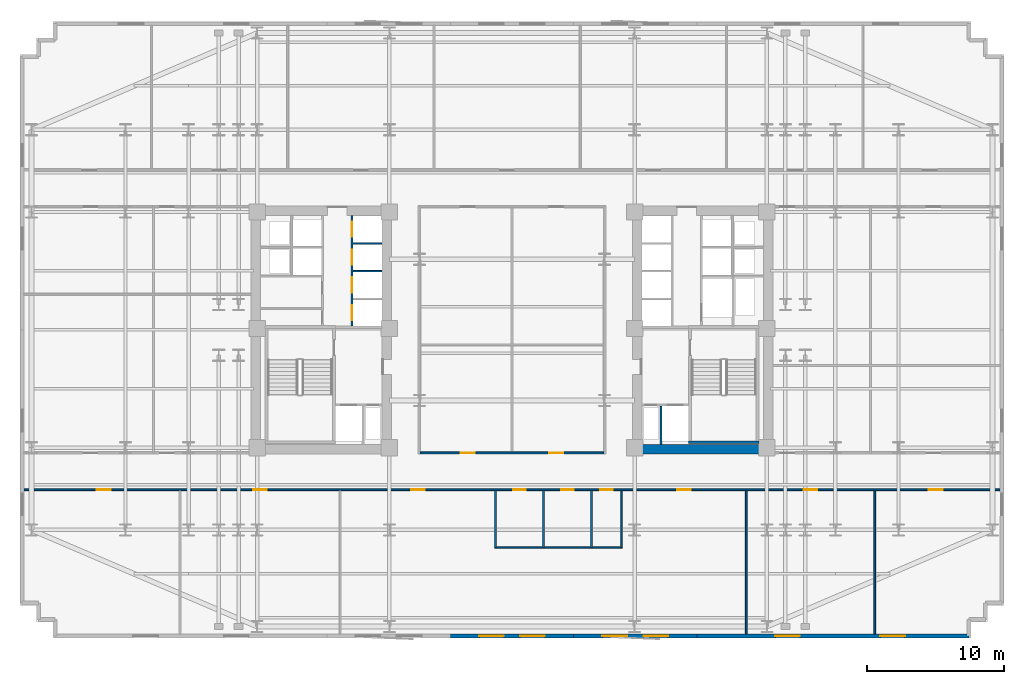
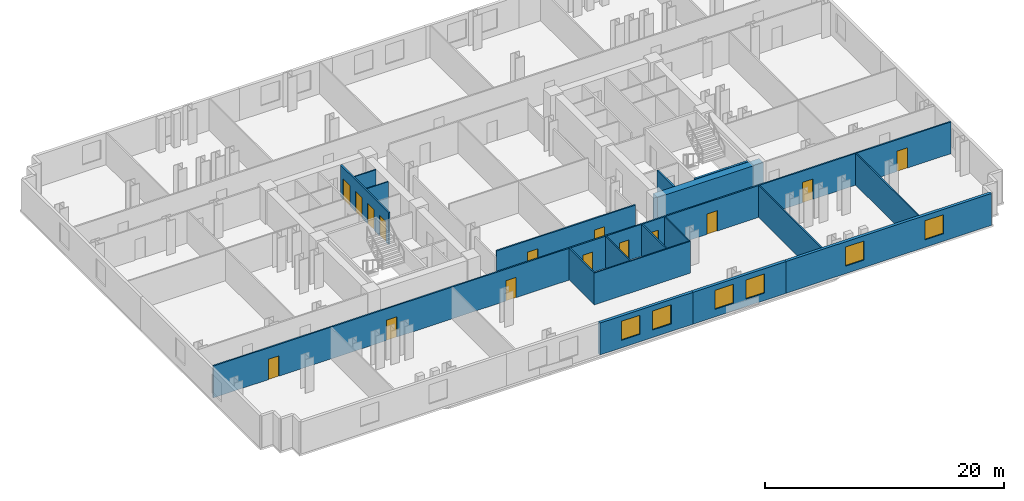
# One storey, part 5 of 10: 18 walls, 15 doors, 6 windows, 21 openings.
"""IFC4 building model written with IfcOpenShell, lengths in metres."""

from ifc_helpers import new_model, si_unit, direction, frame, frame_2d, origin, place, context, subcontext, project, spatial, rectangle, extrude, material, layer, layer_set, type_object, element, fill, save


model = new_model("IFC4")

# Units and contexts
model_context = context("Model", 3, precision=1e-05, world=origin(), true_north=direction((0.0, 1.0)))
body_context = subcontext(model_context, "Body", "Model", "MODEL_VIEW")
ifc_project = project(units=[si_unit("LENGTHUNIT", "METRE"), si_unit("AREAUNIT", "SQUARE_METRE"), si_unit("VOLUMEUNIT", "CUBIC_METRE"), si_unit("PLANEANGLEUNIT", "RADIAN"), si_unit("MASSUNIT", "GRAM", prefix="KILO")], contexts=[model_context])

# Site, building, storey
site_placement = place(None, origin())
site = spatial("IfcSite", under=ifc_project, at=site_placement, CompositionType="ELEMENT")
building_placement = place(site_placement, origin())
building = spatial("IfcBuilding", under=site, at=building_placement, Name="Velakula Bourse", CompositionType="ELEMENT")
storey_placement = place(building_placement, frame((0.0, 0.0, 58.800048828125)))
storey = spatial("IfcBuildingStorey", under=building, at=storey_placement, Name="L15", CompositionType="ELEMENT", Elevation=58.800048828125)

# Walls
ifc_material_1 = material(Name="Concrete M50 (fck 50 MPa)", Category="concrete")
ifc_layer_1 = layer(ifc_material_1, 0.2099609375, Name="Concrete M50 (fck 50 MPa)", Category="concrete")
ifc_layer_set_1 = layer_set([ifc_layer_1], Name="Concrete M50 (fck 50 MPa)")
wall_type_1 = type_object("IfcWallType", Name="WL-CORE-210", PredefinedType="SHEAR", material=ifc_layer_set_1)
wall_1_placement = place(storey_placement, frame((12.889892578125, -8.205078125, 0.0), z_axis=(0.0, 0.0, 1.0), x_axis=(1.0, 0.0, 0.0)))
element("IfcWall", 1, at=wall_1_placement, inside=storey, type_object=wall_type_1, Name="L15 Core E Stairwell Shear Wall S", PredefinedType="SHEAR", context=body_context, shape_type="SweptSolid", body=[
    extrude(rectangle(XDim=5.14013671875, YDim=0.2099609375, at=frame_2d((2.570068359375, 0.0))), origin(), (0.0, 0.0, 1.0), 3.27001953125),
])
ifc_material_2 = material(Name="Concrete M70 (fck 70 MPa)", Category="concrete")
ifc_layer_2 = layer(ifc_material_2, 0.699951171875, Name="Concrete M70 (fck 70 MPa)", Category="concrete")
ifc_layer_set_2 = layer_set([ifc_layer_2], Name="Concrete M70 (fck 70 MPa)")
wall_type_2 = type_object("IfcWallType", Name="WL-CORE-700", PredefinedType="SHEAR", material=ifc_layer_set_2)
wall_2_placement = place(storey_placement, frame((8.800048828125, -8.699951171875, 0.0), z_axis=(0.0, 0.0, 1.0), x_axis=(1.0, 0.0, 0.0)))
element("IfcWall", 2, at=wall_2_placement, inside=storey, type_object=wall_type_2, Name="L15 Core E Shear Wall S", PredefinedType="SHEAR", context=body_context, shape_type="SweptSolid", body=[
    extrude(rectangle(XDim=10.25, YDim=0.699951171875, at=frame_2d((5.125, 0.0))), origin(), (0.0, 0.0, 1.0), 3.27001953125),
])

# Wall, openings, windows
ifc_material_3 = material(Name="Red kilned clay facing brick masonry", Category="masonry")
ifc_layer_3 = layer(ifc_material_3, 0.280029296875, Name="Red kilned clay facing brick masonry", Category="masonry")
ifc_layer_set_3 = layer_set([ifc_layer_3], Name="Red kilned clay facing brick masonry")
wall_type_3 = type_object("IfcWallType", Name="WL-EXT-BRK-280", PredefinedType="STANDARD", material=ifc_layer_set_3)
wall_3_placement = place(storey_placement, frame((4.5, -22.340087890625, 0.0), z_axis=(0.0, 0.0, 1.0), x_axis=(-1.0, 0.0, 0.0)))
wall_3 = element("IfcWall", 3, at=wall_3_placement, inside=storey, type_object=wall_type_3, Name="L15 S Brick Spandrel Wall B3", PredefinedType="STANDARD", context=body_context, shape_type="SweptSolid", body=[
    extrude(rectangle(XDim=9.0, YDim=0.280029296875, at=frame_2d((4.5, 0.0))), origin(), (0.0, 0.0, 1.0), 3.25),
])
opening_1_placement = place(wall_3_placement, frame((2.10009765625, 0.0, 0.760009765625)))
opening_1 = element("IfcOpeningElement", 4, at=opening_1_placement, cuts=wall_3, Name="Opening W-01", PredefinedType="OPENING", context=body_context, shape_type="SweptSolid", body=[
    extrude(rectangle(XDim=1.800048828125, YDim=1.949951171875, at=frame_2d((0.89990234375, 0.97509765625))), frame((0.0, 0.14990234375, 0.0), z_axis=(0.0, -1.0, 0.0), x_axis=(1.0, 0.0, 0.0)), (0.0, 0.0, 1.0), 0.300048828125),
])
opening_2_placement = place(wall_3_placement, frame((5.10009765625, 0.0, 0.760009765625)))
opening_2 = element("IfcOpeningElement", 5, at=opening_2_placement, cuts=wall_3, Name="Opening W-01", PredefinedType="OPENING", context=body_context, shape_type="SweptSolid", body=[
    extrude(rectangle(XDim=1.800048828125, YDim=1.949951171875, at=frame_2d((0.89990234375, 0.97509765625))), frame((0.0, 0.14990234375, 0.0), z_axis=(0.0, -1.0, 0.0), x_axis=(1.0, 0.0, 0.0)), (0.0, 0.0, 1.0), 0.300048828125),
])
ifc_material_4 = material(Name="Double-glazed solar-control Low-E glass", Category="glass")
window_type = type_object("IfcWindowType", Name="WIN-TWR-1800x2100", PartitioningType="SINGLE_PANEL", PredefinedType="WINDOW", material=ifc_material_4)
window_1_placement = place(opening_1_placement, origin())
window_1 = element("IfcWindow", 6, at=window_1_placement, inside=storey, type_object=window_type, Name="L15 Deep-Set Recessed Window 1", OverallHeight=1.949951171875, OverallWidth=1.800048828125, PartitioningType="SINGLE_PANEL", PredefinedType="WINDOW", context=body_context, shape_type="SweptSolid", body=[
    extrude(rectangle(XDim=1.800048828125, YDim=1.949951171875, at=frame_2d((0.89990234375, 0.97509765625))), frame((0.0, 0.030029296875, 0.0), z_axis=(0.0, -1.0, 0.0), x_axis=(1.0, 0.0, 0.0)), (0.0, 0.0, 1.0), 0.06005859375),
])
fill(opening_1, window_1)
window_2_placement = place(opening_2_placement, origin())
window_2 = element("IfcWindow", 7, at=window_2_placement, inside=storey, type_object=window_type, Name="L15 Deep-Set Recessed Window 2", OverallHeight=1.949951171875, OverallWidth=1.800048828125, PartitioningType="SINGLE_PANEL", PredefinedType="WINDOW", context=body_context, shape_type="SweptSolid", body=[
    extrude(rectangle(XDim=1.800048828125, YDim=1.949951171875, at=frame_2d((0.89990234375, 0.97509765625))), frame((0.0, 0.030029296875, 0.0), z_axis=(0.0, -1.0, 0.0), x_axis=(1.0, 0.0, 0.0)), (0.0, 0.0, 1.0), 0.06005859375),
])
fill(opening_2, window_2)

wall_4_placement = place(storey_placement, frame((13.5, -22.340087890625, 0.0), z_axis=(0.0, 0.0, 1.0), x_axis=(-1.0, 0.0, 0.0)))
wall_4 = element("IfcWall", 8, at=wall_4_placement, inside=storey, type_object=wall_type_3, Name="L15 S Brick Spandrel Wall B4", PredefinedType="STANDARD", context=body_context, shape_type="SweptSolid", body=[
    extrude(rectangle(XDim=9.0, YDim=0.280029296875, at=frame_2d((4.5, 0.0))), origin(), (0.0, 0.0, 1.0), 3.25),
])
opening_3_placement = place(wall_4_placement, frame((2.10009765625, 0.0, 0.760009765625)))
opening_3 = element("IfcOpeningElement", 9, at=opening_3_placement, cuts=wall_4, Name="Opening W-01", PredefinedType="OPENING", context=body_context, shape_type="SweptSolid", body=[
    extrude(rectangle(XDim=1.800048828125, YDim=1.949951171875, at=frame_2d((0.89990234375, 0.97509765625))), frame((0.0, 0.14990234375, 0.0), z_axis=(0.0, -1.0, 0.0), x_axis=(1.0, 0.0, 0.0)), (0.0, 0.0, 1.0), 0.300048828125),
])
opening_4_placement = place(wall_4_placement, frame((5.10009765625, 0.0, 0.760009765625)))
opening_4 = element("IfcOpeningElement", 10, at=opening_4_placement, cuts=wall_4, Name="Opening W-01", PredefinedType="OPENING", context=body_context, shape_type="SweptSolid", body=[
    extrude(rectangle(XDim=1.800048828125, YDim=1.949951171875, at=frame_2d((0.89990234375, 0.97509765625))), frame((0.0, 0.14990234375, 0.0), z_axis=(0.0, -1.0, 0.0), x_axis=(1.0, 0.0, 0.0)), (0.0, 0.0, 1.0), 0.300048828125),
])
window_3_placement = place(opening_3_placement, origin())
window_3 = element("IfcWindow", 11, at=window_3_placement, inside=storey, type_object=window_type, Name="L15 Deep-Set Recessed Window 1", OverallHeight=1.949951171875, OverallWidth=1.800048828125, PartitioningType="SINGLE_PANEL", PredefinedType="WINDOW", context=body_context, shape_type="SweptSolid", body=[
    extrude(rectangle(XDim=1.800048828125, YDim=1.949951171875, at=frame_2d((0.89990234375, 0.97509765625))), frame((0.0, 0.030029296875, 0.0), z_axis=(0.0, -1.0, 0.0), x_axis=(1.0, 0.0, 0.0)), (0.0, 0.0, 1.0), 0.06005859375),
])
fill(opening_3, window_3)
window_4_placement = place(opening_4_placement, origin())
window_4 = element("IfcWindow", 12, at=window_4_placement, inside=storey, type_object=window_type, Name="L15 Deep-Set Recessed Window 2", OverallHeight=1.949951171875, OverallWidth=1.800048828125, PartitioningType="SINGLE_PANEL", PredefinedType="WINDOW", context=body_context, shape_type="SweptSolid", body=[
    extrude(rectangle(XDim=1.800048828125, YDim=1.949951171875, at=frame_2d((0.89990234375, 0.97509765625))), frame((0.0, 0.030029296875, 0.0), z_axis=(0.0, -1.0, 0.0), x_axis=(1.0, 0.0, 0.0)), (0.0, 0.0, 1.0), 0.06005859375),
])
fill(opening_4, window_4)

wall_5_placement = place(storey_placement, frame((33.340087890625, -22.340087890625, 0.0), z_axis=(0.0, 0.0, 1.0), x_axis=(-1.0, 0.0, 0.0)))
wall_5 = element("IfcWall", 13, at=wall_5_placement, inside=storey, type_object=wall_type_3, Name="L15 S Brick Spandrel Wall B5", PredefinedType="STANDARD", context=body_context, shape_type="SweptSolid", body=[
    extrude(rectangle(XDim=19.840087890625, YDim=0.280029296875, at=frame_2d((9.919921875, 0.0))), origin(), (0.0, 0.0, 1.0), 3.25),
])
opening_5_placement = place(wall_5_placement, frame((4.663330078125, 0.0, 0.760009765625)))
opening_5 = element("IfcOpeningElement", 14, at=opening_5_placement, cuts=wall_5, Name="Opening W-01", PredefinedType="OPENING", context=body_context, shape_type="SweptSolid", body=[
    extrude(rectangle(XDim=1.800048828125, YDim=1.949951171875, at=frame_2d((0.89990234375, 0.97509765625))), frame((0.0, 0.14990234375, 0.0), z_axis=(0.0, -1.0, 0.0), x_axis=(1.0, 0.0, 0.0)), (0.0, 0.0, 1.0), 0.300048828125),
])
opening_6_placement = place(wall_5_placement, frame((12.32666015625, 0.0, 0.760009765625)))
opening_6 = element("IfcOpeningElement", 15, at=opening_6_placement, cuts=wall_5, Name="Opening W-01", PredefinedType="OPENING", context=body_context, shape_type="SweptSolid", body=[
    extrude(rectangle(XDim=1.800048828125, YDim=1.949951171875, at=frame_2d((0.89990234375, 0.97509765625))), frame((0.0, 0.14990234375, 0.0), z_axis=(0.0, -1.0, 0.0), x_axis=(1.0, 0.0, 0.0)), (0.0, 0.0, 1.0), 0.300048828125),
])
window_5_placement = place(opening_5_placement, origin())
window_5 = element("IfcWindow", 16, at=window_5_placement, inside=storey, type_object=window_type, Name="L15 Deep-Set Recessed Window 1", OverallHeight=1.949951171875, OverallWidth=1.800048828125, PartitioningType="SINGLE_PANEL", PredefinedType="WINDOW", context=body_context, shape_type="SweptSolid", body=[
    extrude(rectangle(XDim=1.800048828125, YDim=1.949951171875, at=frame_2d((0.89990234375, 0.97509765625))), frame((0.0, 0.030029296875, 0.0), z_axis=(0.0, -1.0, 0.0), x_axis=(1.0, 0.0, 0.0)), (0.0, 0.0, 1.0), 0.06005859375),
])
fill(opening_5, window_5)
window_6_placement = place(opening_6_placement, origin())
window_6 = element("IfcWindow", 17, at=window_6_placement, inside=storey, type_object=window_type, Name="L15 Deep-Set Recessed Window 2", OverallHeight=1.949951171875, OverallWidth=1.800048828125, PartitioningType="SINGLE_PANEL", PredefinedType="WINDOW", context=body_context, shape_type="SweptSolid", body=[
    extrude(rectangle(XDim=1.800048828125, YDim=1.949951171875, at=frame_2d((0.89990234375, 0.97509765625))), frame((0.0, 0.030029296875, 0.0), z_axis=(0.0, -1.0, 0.0), x_axis=(1.0, 0.0, 0.0)), (0.0, 0.0, 1.0), 0.06005859375),
])
fill(opening_6, window_6)

# Walls
ifc_material_5 = material(Name="Fire-rated double-layer gypsum drywall partition", Category="gypsum")
ifc_layer_4 = layer(ifc_material_5, 0.1201171875, Name="Fire-rated double-layer gypsum drywall partition", Category="gypsum")
ifc_layer_set_4 = layer_set([ifc_layer_4], Name="Fire-rated double-layer gypsum drywall partition")
wall_type_4 = type_object("IfcWallType", Name="WL-PART-120", PredefinedType="STANDARD", material=ifc_layer_set_4)
for number, where, z_axis, x_axis, name in (
    (18, (-11.60009765625, 4.284912109375, 0.0), (0.0, 0.0, 1.0), (1.0, 0.0, 0.0), "L15 Interior Partition WL-CRW-L15-BDIV-1"),
    (19, (-11.60009765625, 6.31494140625, 0.0), (0.0, 0.0, 1.0), (1.0, 0.0, 0.0), "L15 Interior Partition WL-CRW-L15-BDIV-2"),
):
    element("IfcWall", number, at=place(storey_placement, frame(where, z_axis=z_axis, x_axis=x_axis)), inside=storey, type_object=wall_type_4, Name=name, PredefinedType="STANDARD", context=body_context, shape_type="SweptSolid", body=[
        extrude(rectangle(XDim=2.10009765625, YDim=0.110107421875, at=frame_2d((1.050048828125, 0.0))), origin(), (0.0, 0.0, 1.0), 3.25),
    ])
wall_6_placement = place(storey_placement, frame((-1.260009765625, -15.8701171875, 0.0), z_axis=(0.0, 0.0, 1.0), x_axis=(1.0, 0.0, 0.0)))
element("IfcWall", 20, at=wall_6_placement, inside=storey, type_object=wall_type_4, Name="L15 Interior Partition WL-WC-L15-BACK", PredefinedType="STANDARD", context=body_context, shape_type="SweptSolid", body=[
    extrude(rectangle(XDim=9.320068359375, YDim=0.1201171875, at=frame_2d((4.66015625, 0.0))), origin(), (0.0, 0.0, 1.0), 3.25),
])
for number, where, z_axis, x_axis, name in (
    (21, (-1.199951171875, -15.8701171875, 0.0), (0.0, 0.0, 1.0), (0.0, 1.0, 0.0), "L15 Interior Partition WL-WC-L15-V1"),
    (22, (2.300048828125, -15.8701171875, 0.0), (0.0, 0.0, 1.0), (0.0, 1.0, 0.0), "L15 Interior Partition WL-WC-L15-V2"),
    (23, (5.800048828125, -15.8701171875, 0.0), (0.0, 0.0, 1.0), (0.0, 1.0, 0.0), "L15 Interior Partition WL-WC-L15-V3"),
    (24, (8.0, -15.8701171875, 0.0), (0.0, 0.0, 1.0), (0.0, 1.0, 0.0), "L15 Interior Partition WL-WC-L15-V4"),
):
    element("IfcWall", number, at=place(storey_placement, frame(where, z_axis=z_axis, x_axis=x_axis)), inside=storey, type_object=wall_type_4, Name=name, PredefinedType="STANDARD", context=body_context, shape_type="SweptSolid", body=[
        extrude(rectangle(XDim=4.130126953125, YDim=0.1201171875, at=frame_2d((2.06494140625, 0.0))), origin(), (0.0, 0.0, 1.0), 3.25),
    ])
for number, where, z_axis, x_axis, name in (
    (25, (17.094970703125, -22.219970703125, 0.0), (0.0, 0.0, 1.0), (0.0, 1.0, 0.0), "L15 Interior Partition WL-INT-L15-SR-D7"),
    (26, (26.465087890625, -22.219970703125, 0.0), (0.0, 0.0, 1.0), (0.0, 1.0, 0.0), "L15 Interior Partition WL-INT-L15-SR-D8"),
):
    element("IfcWall", number, at=place(storey_placement, frame(where, z_axis=z_axis, x_axis=x_axis)), inside=storey, type_object=wall_type_4, Name=name, PredefinedType="STANDARD", context=body_context, shape_type="SweptSolid", body=[
        extrude(rectangle(XDim=10.47998046875, YDim=0.1201171875, at=frame_2d((5.239990234375, 0.0))), origin(), (0.0, 0.0, 1.0), 3.25),
    ])

# Wall, openings, doors
ifc_layer_5 = layer(ifc_material_5, 0.139892578125, Name="Fire-rated double-layer gypsum drywall partition", Category="gypsum")
ifc_layer_set_5 = layer_set([ifc_layer_5], Name="Fire-rated double-layer gypsum drywall partition")
wall_type_5 = type_object("IfcWallType", Name="WL-PART-140", PredefinedType="STANDARD", material=ifc_layer_set_5)
wall_7_placement = place(storey_placement, frame((-35.6201171875, -11.669921875, 0.0), z_axis=(0.0, 0.0, 1.0), x_axis=(1.0, 0.0, 0.0)))
wall_7 = element("IfcWall", 27, at=wall_7_placement, inside=storey, type_object=wall_type_5, Name="L15 Interior Partition WL-INT-L15-S-CORR", PredefinedType="STANDARD", context=body_context, shape_type="SweptSolid", body=[
    extrude(rectangle(XDim=71.240234375, YDim=0.139892578125, at=frame_2d((35.6201171875, 0.0))), origin(), (0.0, 0.0, 1.0), 3.25),
])
opening_7_placement = place(wall_7_placement, frame((35.7099609375, 0.0, 0.0)))
opening_7 = element("IfcOpeningElement", 28, at=opening_7_placement, cuts=wall_7, Name="Opening D-WT1", PredefinedType="OPENING", context=body_context, shape_type="SweptSolid", body=[
    extrude(rectangle(XDim=0.919921875, YDim=2.080078125, at=frame_2d((0.4599609375, 1.0400390625))), frame((0.0, 0.079833984375, 0.0), z_axis=(0.0, -1.0, 0.0), x_axis=(1.0, 0.0, 0.0)), (0.0, 0.0, 1.0), 0.159912109375),
])
opening_8_placement = place(wall_7_placement, frame((39.2099609375, 0.0, 0.0)))
opening_8 = element("IfcOpeningElement", 29, at=opening_8_placement, cuts=wall_7, Name="Opening D-WT1", PredefinedType="OPENING", context=body_context, shape_type="SweptSolid", body=[
    extrude(rectangle(XDim=0.919921875, YDim=2.080078125, at=frame_2d((0.4599609375, 1.0400390625))), frame((0.0, 0.079833984375, 0.0), z_axis=(0.0, -1.0, 0.0), x_axis=(1.0, 0.0, 0.0)), (0.0, 0.0, 1.0), 0.159912109375),
])
opening_9_placement = place(wall_7_placement, frame((42.06005859375, 0.0, 0.0)))
opening_9 = element("IfcOpeningElement", 30, at=opening_9_placement, cuts=wall_7, Name="Opening D-WC1", PredefinedType="OPENING", context=body_context, shape_type="SweptSolid", body=[
    extrude(rectangle(XDim=0.919921875, YDim=2.080078125, at=frame_2d((0.4599609375, 1.0400390625))), frame((0.0, 0.079833984375, 0.0), z_axis=(0.0, -1.0, 0.0), x_axis=(1.0, 0.0, 0.0)), (0.0, 0.0, 1.0), 0.159912109375),
])
opening_10_placement = place(wall_7_placement, frame((5.325439453125, 0.0, 0.0)))
opening_10 = element("IfcOpeningElement", 31, at=opening_10_placement, cuts=wall_7, Name="Opening D-OF1", PredefinedType="OPENING", context=body_context, shape_type="SweptSolid", body=[
    extrude(rectangle(XDim=1.0, YDim=2.080078125, at=frame_2d((0.5, 1.0400390625))), frame((0.0, 0.079833984375, 0.0), z_axis=(0.0, -1.0, 0.0), x_axis=(1.0, 0.0, 0.0)), (0.0, 0.0, 1.0), 0.159912109375),
])
opening_11_placement = place(wall_7_placement, frame((16.739990234375, 0.0, 0.0)))
opening_11 = element("IfcOpeningElement", 32, at=opening_11_placement, cuts=wall_7, Name="Opening D-OF1", PredefinedType="OPENING", context=body_context, shape_type="SweptSolid", body=[
    extrude(rectangle(XDim=1.0, YDim=2.080078125, at=frame_2d((0.5, 1.0400390625))), frame((0.0, 0.079833984375, 0.0), z_axis=(0.0, -1.0, 0.0), x_axis=(1.0, 0.0, 0.0)), (0.0, 0.0, 1.0), 0.159912109375),
])
opening_12_placement = place(wall_7_placement, frame((28.25048828125, 0.0, 0.0)))
opening_12 = element("IfcOpeningElement", 33, at=opening_12_placement, cuts=wall_7, Name="Opening D-OF1", PredefinedType="OPENING", context=body_context, shape_type="SweptSolid", body=[
    extrude(rectangle(XDim=1.0, YDim=2.080078125, at=frame_2d((0.5, 1.0400390625))), frame((0.0, 0.079833984375, 0.0), z_axis=(0.0, -1.0, 0.0), x_axis=(1.0, 0.0, 0.0)), (0.0, 0.0, 1.0), 0.159912109375),
])
opening_13_placement = place(wall_7_placement, frame((47.66748046875, 0.0, 0.0)))
opening_13 = element("IfcOpeningElement", 34, at=opening_13_placement, cuts=wall_7, Name="Opening D-OF1", PredefinedType="OPENING", context=body_context, shape_type="SweptSolid", body=[
    extrude(rectangle(XDim=1.0, YDim=2.080078125, at=frame_2d((0.5, 1.0400390625))), frame((0.0, 0.079833984375, 0.0), z_axis=(0.0, -1.0, 0.0), x_axis=(1.0, 0.0, 0.0)), (0.0, 0.0, 1.0), 0.159912109375),
])
opening_14_placement = place(wall_7_placement, frame((56.89990234375, 0.0, 0.0)))
opening_14 = element("IfcOpeningElement", 35, at=opening_14_placement, cuts=wall_7, Name="Opening D-OF1", PredefinedType="OPENING", context=body_context, shape_type="SweptSolid", body=[
    extrude(rectangle(XDim=1.0, YDim=2.080078125, at=frame_2d((0.5, 1.0400390625))), frame((0.0, 0.079833984375, 0.0), z_axis=(0.0, -1.0, 0.0), x_axis=(1.0, 0.0, 0.0)), (0.0, 0.0, 1.0), 0.159912109375),
])
opening_15_placement = place(wall_7_placement, frame((66.03662109375, 0.0, 0.0)))
opening_15 = element("IfcOpeningElement", 36, at=opening_15_placement, cuts=wall_7, Name="Opening D-OF1", PredefinedType="OPENING", context=body_context, shape_type="SweptSolid", body=[
    extrude(rectangle(XDim=1.0, YDim=2.080078125, at=frame_2d((0.5, 1.0400390625))), frame((0.0, 0.079833984375, 0.0), z_axis=(0.0, -1.0, 0.0), x_axis=(1.0, 0.0, 0.0)), (0.0, 0.0, 1.0), 0.159912109375),
])
ifc_material_6 = material(Name="Fire-rated hardwood flush architectural door", Category="wood")
door_type_1 = type_object("IfcDoorType", Name="DR-OFF-1000", OperationType="NOTDEFINED", PredefinedType="DOOR", material=ifc_material_6)
door_1_placement = place(opening_10_placement, origin())
door_1 = element("IfcDoor", 37, at=door_1_placement, inside=storey, type_object=door_type_1, Name="L15 Economic Reference Library Door", OperationType="SINGLE_SWING_LEFT", OverallHeight=2.080078125, OverallWidth=1.0, PredefinedType="DOOR", context=body_context, shape_type="SweptSolid", body=[
    extrude(rectangle(XDim=1.0, YDim=2.080078125, at=frame_2d((0.5, 1.0400390625))), frame((0.0, 0.02490234375, 0.0), z_axis=(0.0, -1.0, 0.0), x_axis=(1.0, 0.0, 0.0)), (0.0, 0.0, 1.0), 0.050048828125),
])
fill(opening_10, door_1)
door_2_placement = place(opening_11_placement, origin())
door_2 = element("IfcDoor", 38, at=door_2_placement, inside=storey, type_object=door_type_1, Name="L15 Chief Risk Officer Chamber Door", OperationType="SINGLE_SWING_RIGHT", OverallHeight=2.080078125, OverallWidth=1.0, PredefinedType="DOOR", context=body_context, shape_type="SweptSolid", body=[
    extrude(rectangle(XDim=1.0, YDim=2.080078125, at=frame_2d((0.5, 1.0400390625))), frame((0.0, 0.02490234375, 0.0), z_axis=(0.0, -1.0, 0.0), x_axis=(1.0, 0.0, 0.0)), (0.0, 0.0, 1.0), 0.050048828125),
])
fill(opening_11, door_2)
door_3_placement = place(opening_12_placement, origin())
door_3 = element("IfcDoor", 39, at=door_3_placement, inside=storey, type_object=door_type_1, Name="L15 Peer Review Boardroom Door", OperationType="SINGLE_SWING_LEFT", OverallHeight=2.080078125, OverallWidth=1.0, PredefinedType="DOOR", context=body_context, shape_type="SweptSolid", body=[
    extrude(rectangle(XDim=1.0, YDim=2.080078125, at=frame_2d((0.5, 1.0400390625))), frame((0.0, 0.02490234375, 0.0), z_axis=(0.0, -1.0, 0.0), x_axis=(1.0, 0.0, 0.0)), (0.0, 0.0, 1.0), 0.050048828125),
])
fill(opening_12, door_3)
door_4_placement = place(opening_13_placement, origin())
door_4 = element("IfcDoor", 40, at=door_4_placement, inside=storey, type_object=door_type_1, Name="L15 Catering Servery Pantry Door", OperationType="SINGLE_SWING_RIGHT", OverallHeight=2.080078125, OverallWidth=1.0, PredefinedType="DOOR", context=body_context, shape_type="SweptSolid", body=[
    extrude(rectangle(XDim=1.0, YDim=2.080078125, at=frame_2d((0.5, 1.0400390625))), frame((0.0, 0.02490234375, 0.0), z_axis=(0.0, -1.0, 0.0), x_axis=(1.0, 0.0, 0.0)), (0.0, 0.0, 1.0), 0.050048828125),
])
fill(opening_13, door_4)
door_5_placement = place(opening_14_placement, origin())
door_5 = element("IfcDoor", 41, at=door_5_placement, inside=storey, type_object=door_type_1, Name="L15 Quantitative Research Workspace Door", OperationType="SINGLE_SWING_LEFT", OverallHeight=2.080078125, OverallWidth=1.0, PredefinedType="DOOR", context=body_context, shape_type="SweptSolid", body=[
    extrude(rectangle(XDim=1.0, YDim=2.080078125, at=frame_2d((0.5, 1.0400390625))), frame((0.0, 0.02490234375, 0.0), z_axis=(0.0, -1.0, 0.0), x_axis=(1.0, 0.0, 0.0)), (0.0, 0.0, 1.0), 0.050048828125),
])
fill(opening_14, door_5)
door_6_placement = place(opening_15_placement, origin())
door_6 = element("IfcDoor", 42, at=door_6_placement, inside=storey, type_object=door_type_1, Name="L15 Chief Risk Officer Chamber Door", OperationType="SINGLE_SWING_RIGHT", OverallHeight=2.080078125, OverallWidth=1.0, PredefinedType="DOOR", context=body_context, shape_type="SweptSolid", body=[
    extrude(rectangle(XDim=1.0, YDim=2.080078125, at=frame_2d((0.5, 1.0400390625))), frame((0.0, 0.02490234375, 0.0), z_axis=(0.0, -1.0, 0.0), x_axis=(1.0, 0.0, 0.0)), (0.0, 0.0, 1.0), 0.050048828125),
])
fill(opening_15, door_6)
door_type_2 = type_object("IfcDoorType", Name="DR-WC-950", OperationType="NOTDEFINED", PredefinedType="DOOR", material=ifc_material_6)
door_7_placement = place(opening_7_placement, origin())
door_7 = element("IfcDoor", 43, at=door_7_placement, inside=storey, type_object=door_type_2, Name="L15 Male Staff Toilet Door", OperationType="SINGLE_SWING_RIGHT", OverallHeight=2.080078125, OverallWidth=0.919921875, PredefinedType="DOOR", context=body_context, shape_type="SweptSolid", body=[
    extrude(rectangle(XDim=0.919921875, YDim=2.080078125, at=frame_2d((0.4599609375, 1.0400390625))), frame((0.0, 0.02490234375, 0.0), z_axis=(0.0, -1.0, 0.0), x_axis=(1.0, 0.0, 0.0)), (0.0, 0.0, 1.0), 0.050048828125),
])
fill(opening_7, door_7)
door_8_placement = place(opening_8_placement, origin())
door_8 = element("IfcDoor", 44, at=door_8_placement, inside=storey, type_object=door_type_2, Name="L15 Female Staff Toilet Door", OperationType="SINGLE_SWING_LEFT", OverallHeight=2.080078125, OverallWidth=0.919921875, PredefinedType="DOOR", context=body_context, shape_type="SweptSolid", body=[
    extrude(rectangle(XDim=0.919921875, YDim=2.080078125, at=frame_2d((0.4599609375, 1.0400390625))), frame((0.0, 0.02490234375, 0.0), z_axis=(0.0, -1.0, 0.0), x_axis=(1.0, 0.0, 0.0)), (0.0, 0.0, 1.0), 0.050048828125),
])
fill(opening_8, door_8)
door_9_placement = place(opening_9_placement, origin())
door_9 = element("IfcDoor", 45, at=door_9_placement, inside=storey, type_object=door_type_2, Name="L15 Accessible WC Door", OperationType="SINGLE_SWING_RIGHT", OverallHeight=2.080078125, OverallWidth=0.919921875, PredefinedType="DOOR", context=body_context, shape_type="SweptSolid", body=[
    extrude(rectangle(XDim=0.919921875, YDim=2.080078125, at=frame_2d((0.4599609375, 1.0400390625))), frame((0.0, 0.02490234375, 0.0), z_axis=(0.0, -1.0, 0.0), x_axis=(1.0, 0.0, 0.0)), (0.0, 0.0, 1.0), 0.050048828125),
])
fill(opening_9, door_9)

wall_8_placement = place(storey_placement, frame((-6.7099609375, -8.97998046875, 0.0), z_axis=(0.0, 0.0, 1.0), x_axis=(1.0, 0.0, 0.0)))
wall_8 = element("IfcWall", 46, at=wall_8_placement, inside=storey, type_object=wall_type_5, Name="L15 Interior Partition WL-INT-L15-MID-S", PredefinedType="STANDARD", context=body_context, shape_type="SweptSolid", body=[
    extrude(rectangle(XDim=13.419921875, YDim=0.139892578125, at=frame_2d((6.7099609375, 0.0))), origin(), (0.0, 0.0, 1.0), 3.25),
])
opening_16_placement = place(wall_8_placement, frame((2.98095703125, 0.0, 0.0)))
opening_16 = element("IfcOpeningElement", 47, at=opening_16_placement, cuts=wall_8, Name="Opening D-OF1", PredefinedType="OPENING", context=body_context, shape_type="SweptSolid", body=[
    extrude(rectangle(XDim=1.0, YDim=2.080078125, at=frame_2d((0.5, 1.0400390625))), frame((0.0, 0.079833984375, 0.0), z_axis=(0.0, -1.0, 0.0), x_axis=(1.0, 0.0, 0.0)), (0.0, 0.0, 1.0), 0.159912109375),
])
opening_17_placement = place(wall_8_placement, frame((9.43896484375, 0.0, 0.0)))
opening_17 = element("IfcOpeningElement", 48, at=opening_17_placement, cuts=wall_8, Name="Opening D-OF1", PredefinedType="OPENING", context=body_context, shape_type="SweptSolid", body=[
    extrude(rectangle(XDim=1.0, YDim=2.080078125, at=frame_2d((0.5, 1.0400390625))), frame((0.0, 0.079833984375, 0.0), z_axis=(0.0, -1.0, 0.0), x_axis=(1.0, 0.0, 0.0)), (0.0, 0.0, 1.0), 0.159912109375),
])
door_10_placement = place(opening_16_placement, origin())
door_10 = element("IfcDoor", 49, at=door_10_placement, inside=storey, type_object=door_type_1, Name="L15 Brokerage Caucus Room SW Door", OperationType="SINGLE_SWING_LEFT", OverallHeight=2.080078125, OverallWidth=1.0, PredefinedType="DOOR", context=body_context, shape_type="SweptSolid", body=[
    extrude(rectangle(XDim=1.0, YDim=2.080078125, at=frame_2d((0.5, 1.0400390625))), frame((0.0, 0.02490234375, 0.0), z_axis=(0.0, -1.0, 0.0), x_axis=(1.0, 0.0, 0.0)), (0.0, 0.0, 1.0), 0.050048828125),
])
fill(opening_16, door_10)
door_11_placement = place(opening_17_placement, origin())
door_11 = element("IfcDoor", 50, at=door_11_placement, inside=storey, type_object=door_type_1, Name="L15 Brokerage Caucus Room SE Door", OperationType="SINGLE_SWING_RIGHT", OverallHeight=2.080078125, OverallWidth=1.0, PredefinedType="DOOR", context=body_context, shape_type="SweptSolid", body=[
    extrude(rectangle(XDim=1.0, YDim=2.080078125, at=frame_2d((0.5, 1.0400390625))), frame((0.0, 0.02490234375, 0.0), z_axis=(0.0, -1.0, 0.0), x_axis=(1.0, 0.0, 0.0)), (0.0, 0.0, 1.0), 0.050048828125),
])
fill(opening_17, door_11)

ifc_material_7 = material(Name="Autoclaved aerated concrete blockwork masonry", Category="masonry")
ifc_layer_6 = layer(ifc_material_7, 0.14990234375, Name="Autoclaved aerated concrete blockwork masonry", Category="masonry")
ifc_layer_set_6 = layer_set([ifc_layer_6], Name="Autoclaved aerated concrete blockwork masonry")
wall_type_6 = type_object("IfcWallType", Name="WL-SHAFT-150", PredefinedType="STANDARD", material=ifc_layer_set_6)
wall_9_placement = place(storey_placement, frame((-11.675048828125, 0.27001953125, 0.0), z_axis=(0.0, 0.0, 1.0), x_axis=(0.0, 1.0, 0.0)))
wall_9 = element("IfcWall", 51, at=wall_9_placement, inside=storey, type_object=wall_type_6, Name="L15 Interior Partition WL-CRW-L15-BANK-F", PredefinedType="STANDARD", context=body_context, shape_type="SweptSolid", body=[
    extrude(rectangle(XDim=8.080078125, YDim=0.14990234375, at=frame_2d((4.0400390625, 0.0))), origin(), (0.0, 0.0, 1.0), 3.25),
])
opening_18_placement = place(wall_9_placement, frame((0.419921875, 0.0, 0.0)))
opening_18 = element("IfcOpeningElement", 52, at=opening_18_placement, cuts=wall_9, Name="Opening LD-P1", PredefinedType="OPENING", context=body_context, shape_type="SweptSolid", body=[
    extrude(rectangle(XDim=1.10009765625, YDim=2.10009765625, at=frame_2d((0.550048828125, 1.050048828125))), frame((0.0, 0.0849609375, 0.0), z_axis=(0.0, -1.0, 0.0), x_axis=(1.0, 0.0, 0.0)), (0.0, 0.0, 1.0), 0.169921875),
])
opening_19_placement = place(wall_9_placement, frame((2.449951171875, 0.0, 0.0)))
opening_19 = element("IfcOpeningElement", 53, at=opening_19_placement, cuts=wall_9, Name="Opening LD-P2", PredefinedType="OPENING", context=body_context, shape_type="SweptSolid", body=[
    extrude(rectangle(XDim=1.10009765625, YDim=2.10009765625, at=frame_2d((0.550048828125, 1.050048828125))), frame((0.0, 0.0849609375, 0.0), z_axis=(0.0, -1.0, 0.0), x_axis=(1.0, 0.0, 0.0)), (0.0, 0.0, 1.0), 0.169921875),
])
opening_20_placement = place(wall_9_placement, frame((4.47998046875, 0.0, 0.0)))
opening_20 = element("IfcOpeningElement", 54, at=opening_20_placement, cuts=wall_9, Name="Opening LD-P3", PredefinedType="OPENING", context=body_context, shape_type="SweptSolid", body=[
    extrude(rectangle(XDim=1.10009765625, YDim=2.10009765625, at=frame_2d((0.550048828125, 1.050048828125))), frame((0.0, 0.0849609375, 0.0), z_axis=(0.0, -1.0, 0.0), x_axis=(1.0, 0.0, 0.0)), (0.0, 0.0, 1.0), 0.169921875),
])
opening_21_placement = place(wall_9_placement, frame((6.510009765625, 0.0, 0.0)))
opening_21 = element("IfcOpeningElement", 55, at=opening_21_placement, cuts=wall_9, Name="Opening LD-P4", PredefinedType="OPENING", context=body_context, shape_type="SweptSolid", body=[
    extrude(rectangle(XDim=1.10009765625, YDim=2.10009765625, at=frame_2d((0.550048828125, 1.050048828125))), frame((0.0, 0.0849609375, 0.0), z_axis=(0.0, -1.0, 0.0), x_axis=(1.0, 0.0, 0.0)), (0.0, 0.0, 1.0), 0.169921875),
])
ifc_material_8 = material(Name="Brushed grade 316 stainless steel", Category="steel")
door_type_3 = type_object("IfcDoorType", Name="DR-SLIDE-LD-1100", OperationType="DOUBLE_DOOR_SLIDING", PredefinedType="DOOR", material=ifc_material_8)
door_12_placement = place(opening_18_placement, origin())
door_12 = element("IfcDoor", 56, at=door_12_placement, inside=storey, type_object=door_type_3, Name="L15 Passenger Lift P1 Sliding Landing Door", OperationType="DOUBLE_DOOR_SLIDING", OverallHeight=2.10009765625, OverallWidth=1.10009765625, PredefinedType="DOOR", context=body_context, shape_type="SweptSolid", body=[
    extrude(rectangle(XDim=1.10009765625, YDim=2.10009765625, at=frame_2d((0.550048828125, 1.050048828125))), frame((0.0, 0.02490234375, 0.0), z_axis=(0.0, -1.0, 0.0), x_axis=(1.0, 0.0, 0.0)), (0.0, 0.0, 1.0), 0.050048828125),
])
fill(opening_18, door_12)
door_13_placement = place(opening_19_placement, origin())
door_13 = element("IfcDoor", 57, at=door_13_placement, inside=storey, type_object=door_type_3, Name="L15 Passenger Lift P2 Sliding Landing Door", OperationType="DOUBLE_DOOR_SLIDING", OverallHeight=2.10009765625, OverallWidth=1.10009765625, PredefinedType="DOOR", context=body_context, shape_type="SweptSolid", body=[
    extrude(rectangle(XDim=1.10009765625, YDim=2.10009765625, at=frame_2d((0.550048828125, 1.050048828125))), frame((0.0, 0.02490234375, 0.0), z_axis=(0.0, -1.0, 0.0), x_axis=(1.0, 0.0, 0.0)), (0.0, 0.0, 1.0), 0.050048828125),
])
fill(opening_19, door_13)
door_14_placement = place(opening_20_placement, origin())
door_14 = element("IfcDoor", 58, at=door_14_placement, inside=storey, type_object=door_type_3, Name="L15 Passenger Lift P3 Sliding Landing Door", OperationType="DOUBLE_DOOR_SLIDING", OverallHeight=2.10009765625, OverallWidth=1.10009765625, PredefinedType="DOOR", context=body_context, shape_type="SweptSolid", body=[
    extrude(rectangle(XDim=1.10009765625, YDim=2.10009765625, at=frame_2d((0.550048828125, 1.050048828125))), frame((0.0, 0.02490234375, 0.0), z_axis=(0.0, -1.0, 0.0), x_axis=(1.0, 0.0, 0.0)), (0.0, 0.0, 1.0), 0.050048828125),
])
fill(opening_20, door_14)
door_15_placement = place(opening_21_placement, origin())
door_15 = element("IfcDoor", 59, at=door_15_placement, inside=storey, type_object=door_type_3, Name="L15 Passenger Lift P4 Sliding Landing Door", OperationType="DOUBLE_DOOR_SLIDING", OverallHeight=2.10009765625, OverallWidth=1.10009765625, PredefinedType="DOOR", context=body_context, shape_type="SweptSolid", body=[
    extrude(rectangle(XDim=1.10009765625, YDim=2.10009765625, at=frame_2d((0.550048828125, 1.050048828125))), frame((0.0, 0.02490234375, 0.0), z_axis=(0.0, -1.0, 0.0), x_axis=(1.0, 0.0, 0.0)), (0.0, 0.0, 1.0), 0.050048828125),
])
fill(opening_21, door_15)

# Wall
wall_10_placement = place(storey_placement, frame((10.875, -8.35009765625, 0.0), z_axis=(0.0, 0.0, 1.0), x_axis=(0.0, 1.0, 0.0)))
element("IfcWall", 60, at=wall_10_placement, inside=storey, type_object=wall_type_6, Name="L15 Interior Partition WL-CRE-L15-FR-DIV", PredefinedType="STANDARD", context=body_context, shape_type="SweptSolid", body=[
    extrude(rectangle(XDim=2.800048828125, YDim=0.14990234375, at=frame_2d((1.39990234375, 0.0))), origin(), (0.0, 0.0, 1.0), 3.25),
])

save(model, "model.ifc")
